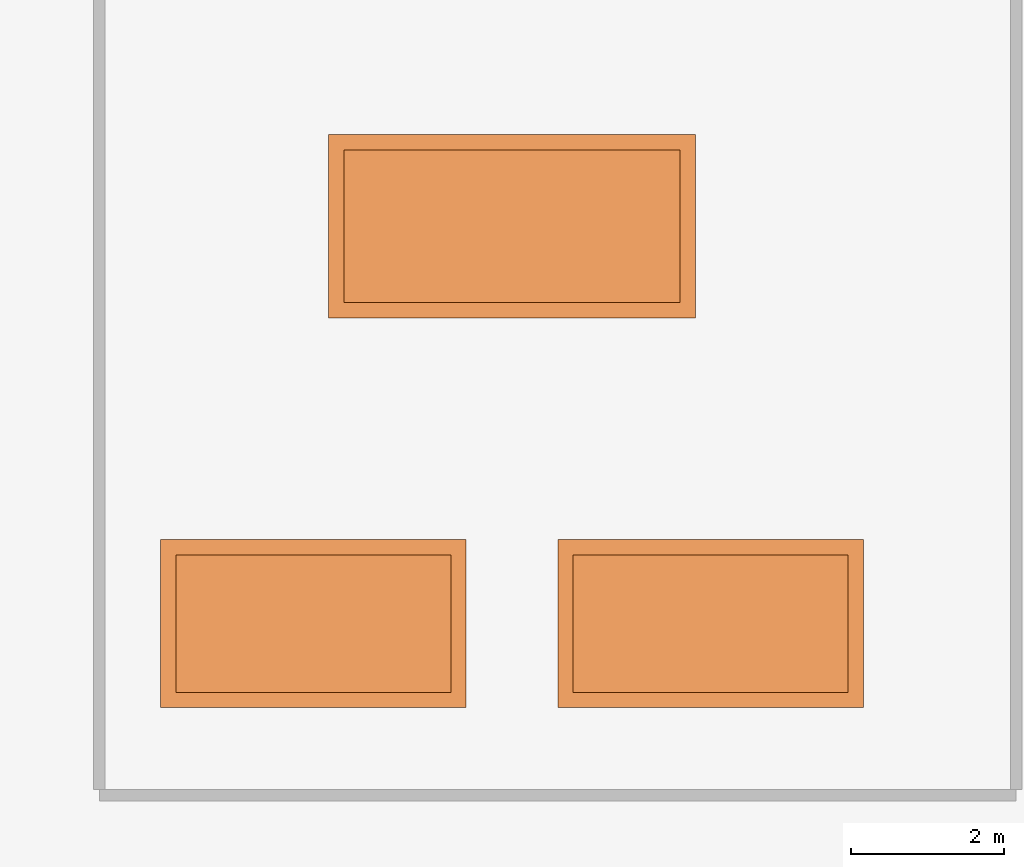
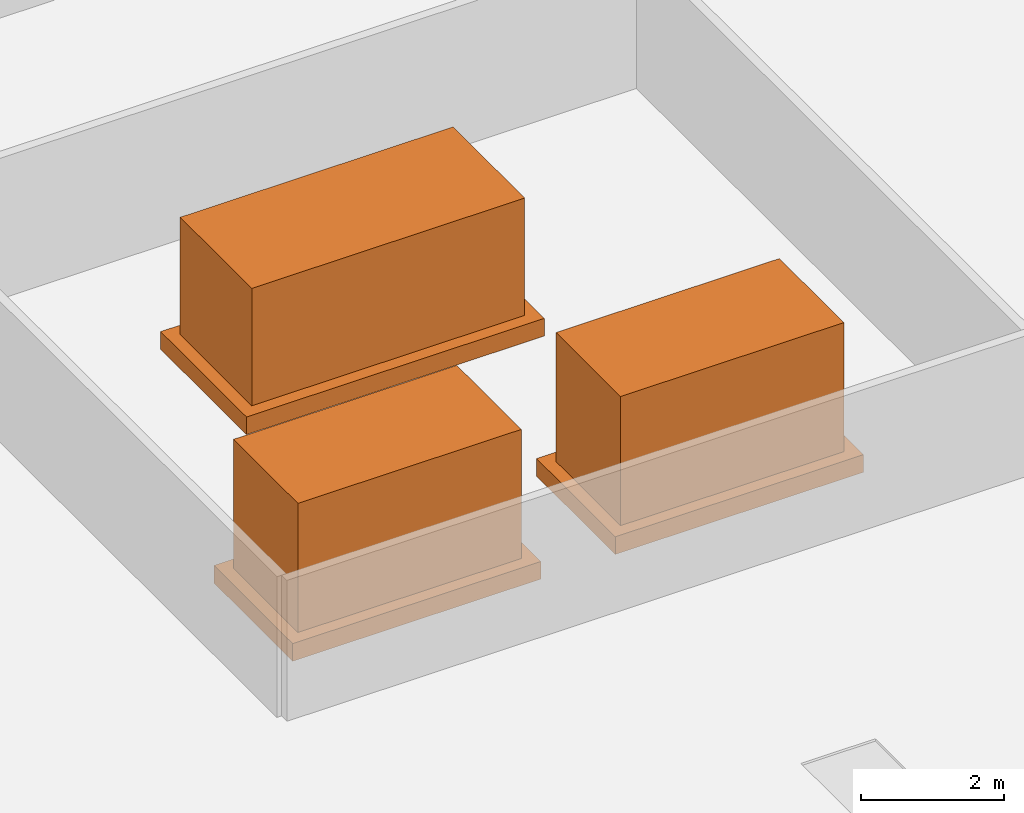
# One storey, part 14 of 14: 6 proxies.
"""IFC4 building model written with IfcOpenShell, lengths in metres."""

from ifc_helpers import new_model, si_unit, direction, frame, origin, origin_2d, place, context, subcontext, project, spatial, rectangle, extrude, material, type_object, element, save


model = new_model("IFC4")

# Units and contexts
model_context = context("Model", 3, precision=1e-05, world=origin(), true_north=direction((0.0, 1.0)))
body_context = subcontext(model_context, "Body", "Model", "MODEL_VIEW")
ifc_project = project(units=[si_unit("LENGTHUNIT", "METRE"), si_unit("AREAUNIT", "SQUARE_METRE"), si_unit("VOLUMEUNIT", "CUBIC_METRE"), si_unit("PLANEANGLEUNIT", "RADIAN"), si_unit("MASSUNIT", "GRAM", prefix="KILO")], contexts=[model_context])

# Site, building, storey
site_placement = place(None, origin())
site = spatial("IfcSite", under=ifc_project, at=site_placement, CompositionType="ELEMENT")
building_placement = place(site_placement, origin())
building = spatial("IfcBuilding", under=site, at=building_placement, Name="Girih Gate Residences", CompositionType="ELEMENT")
storey_placement = place(building_placement, frame((0.0, 0.0, 26.0)))
storey = spatial("IfcBuildingStorey", under=building, at=storey_placement, Name="L05", CompositionType="ELEMENT", Elevation=26.0)

# Proxies
ifc_material_1 = material(Name="Concrete C30/37", Category="concrete")
building_element_proxy_type_1 = type_object("IfcBuildingElementProxyType", Name="HC Plant plinth", PredefinedType="USERDEFINED", material=ifc_material_1)
for number, where, z_axis, x_axis, name in (
    (1, (70.199951171875, 30.199951171875, 0.0400390625), (0.0, 0.0, 1.0), (1.0, 0.0, 0.0), "AHU 1 plinth"),
    (2, (75.39990234375, 30.199951171875, 0.0400390625), (0.0, 0.0, 1.0), (1.0, 0.0, 0.0), "AHU 2 plinth"),
):
    element("IfcBuildingElementProxy", number, at=place(storey_placement, frame(where, z_axis=z_axis, x_axis=x_axis)), inside=storey, type_object=building_element_proxy_type_1, Name=name, ObjectType="PLINTH", PredefinedType="USERDEFINED", context=body_context, shape_type="SweptSolid", body=[
        extrude(rectangle(XDim=4.0, YDim=2.199951171875, at=origin_2d()), origin(), (0.0, 0.0, 1.0), 0.300048828125),
    ])
proxy_1_placement = place(storey_placement, frame((72.800048828125, 35.39990234375, 0.0400390625), z_axis=(0.0, 0.0, 1.0), x_axis=(1.0, 0.0, 0.0)))
element("IfcBuildingElementProxy", 3, at=proxy_1_placement, inside=storey, type_object=building_element_proxy_type_1, Name="Chiller plinth", ObjectType="PLINTH", PredefinedType="USERDEFINED", context=body_context, shape_type="SweptSolid", body=[
    extrude(rectangle(XDim=4.800048828125, YDim=2.39990234375, at=origin_2d()), origin(), (0.0, 0.0, 1.0), 0.300048828125),
])
ifc_material_2 = material(Name="Galvanised steel", Category="steel")
building_element_proxy_type_2 = type_object("IfcBuildingElementProxyType", Name="HC Roof plant unit", PredefinedType="USERDEFINED", material=ifc_material_2)
for number, where, z_axis, x_axis, name in (
    (4, (70.199951171875, 30.199951171875, 0.33984375), (0.0, 0.0, 1.0), (1.0, 0.0, 0.0), "Roof AHU 1"),
    (5, (75.39990234375, 30.199951171875, 0.33984375), (0.0, 0.0, 1.0), (1.0, 0.0, 0.0), "Roof AHU 2"),
):
    element("IfcBuildingElementProxy", number, at=place(storey_placement, frame(where, z_axis=z_axis, x_axis=x_axis)), inside=storey, type_object=building_element_proxy_type_2, Name=name, ObjectType="PLANT", PredefinedType="USERDEFINED", context=body_context, shape_type="SweptSolid", body=[
        extrude(rectangle(XDim=3.60009765625, YDim=1.800048828125, at=origin_2d()), origin(), (0.0, 0.0, 1.0), 2.199951171875),
    ])
proxy_2_placement = place(storey_placement, frame((72.800048828125, 35.39990234375, 0.340087890625), z_axis=(0.0, 0.0, 1.0), x_axis=(1.0, 0.0, 0.0)))
element("IfcBuildingElementProxy", 6, at=proxy_2_placement, inside=storey, type_object=building_element_proxy_type_2, Name="Roof Chiller", ObjectType="PLANT", PredefinedType="USERDEFINED", context=body_context, shape_type="SweptSolid", body=[
    extrude(rectangle(XDim=4.39990234375, YDim=2.0, at=origin_2d()), origin(), (0.0, 0.0, 1.0), 2.0),
])

save(model, "model.ifc")
